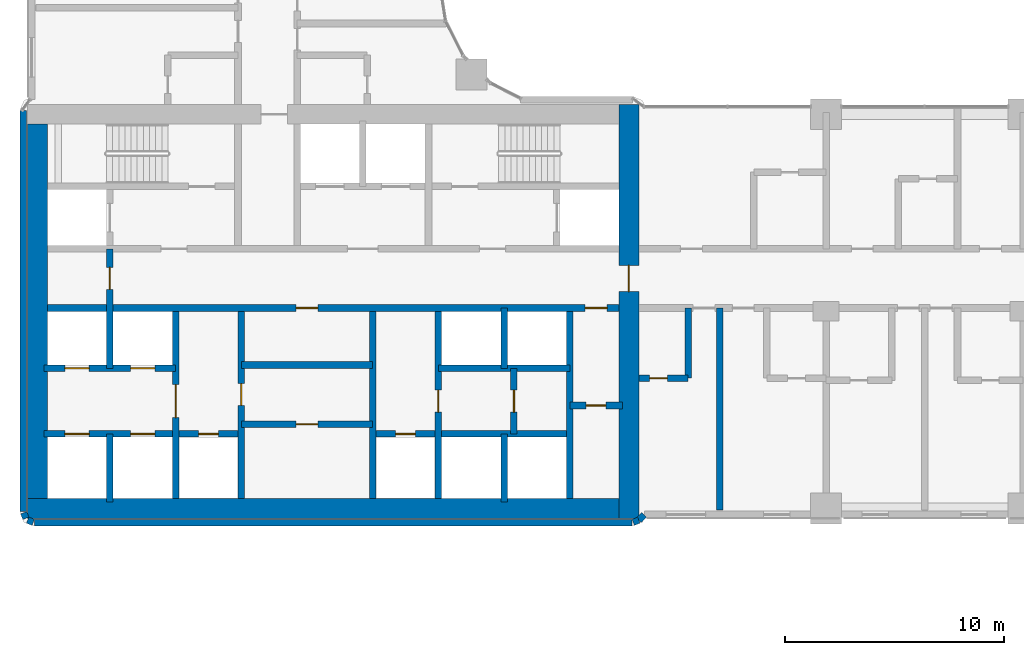
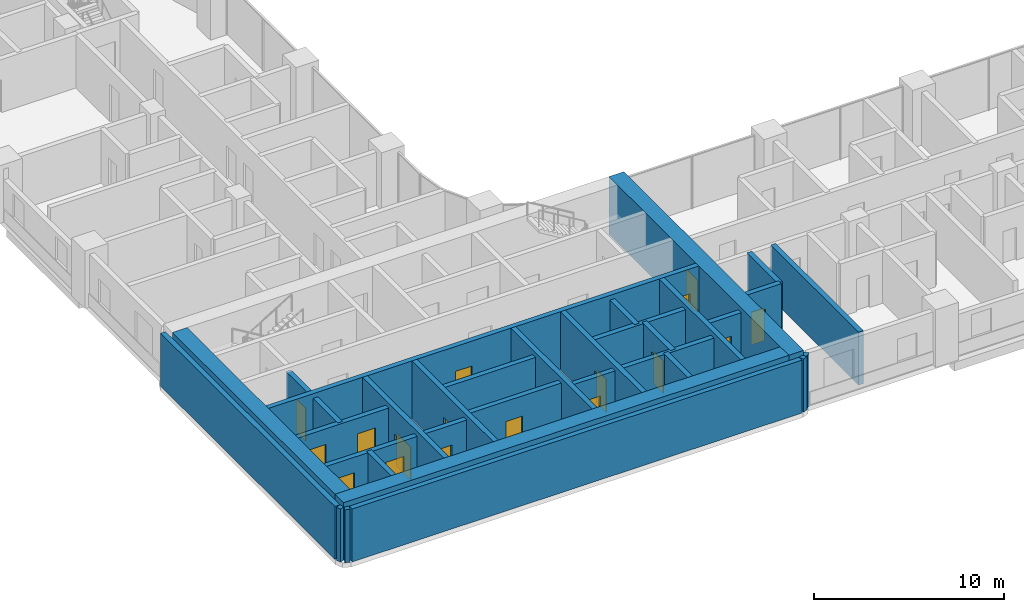
# One storey, part 16 of 31: 30 walls, 17 doors, 17 openings.
"""IFC4 building model written with IfcOpenShell, lengths in metres."""

from ifc_helpers import new_model, si_unit, direction, frame, frame_2d, origin, place, context, subcontext, project, spatial, rectangle, extrude, material, layer, layer_set, type_object, element, fill, save


model = new_model("IFC4")

# Units and contexts
model_context = context("Model", 3, precision=1e-05, world=origin(), true_north=direction((0.0, 1.0)))
body_context = subcontext(model_context, "Body", "Model", "MODEL_VIEW")
ifc_project = project(units=[si_unit("LENGTHUNIT", "METRE"), si_unit("AREAUNIT", "SQUARE_METRE"), si_unit("VOLUMEUNIT", "CUBIC_METRE"), si_unit("PLANEANGLEUNIT", "RADIAN"), si_unit("MASSUNIT", "GRAM", prefix="KILO")], contexts=[model_context])

# Site, building, storey
site_placement = place(None, origin())
site = spatial("IfcSite", under=ifc_project, at=site_placement, CompositionType="ELEMENT")
building_placement = place(site_placement, origin())
building = spatial("IfcBuilding", under=site, at=building_placement, Name="Ogive Portal Towers", CompositionType="ELEMENT")
storey_placement = place(building_placement, frame((0.0, 0.0, 40.89990234375)))
storey = spatial("IfcBuildingStorey", under=building, at=storey_placement, Name="L08", CompositionType="ELEMENT", Elevation=40.89990234375)

# Wall, opening, door
ifc_material_1 = material(Name="Concrete C60/75", Category="concrete")
ifc_layer_1 = layer(ifc_material_1, 0.300048828125)
ifc_layer_set_1 = layer_set([ifc_layer_1], Name="CORE WALL 300 C60")
wall_type_1 = type_object("IfcWallType", Name="CORE WALL 300 C60", PredefinedType="SHEAR", material=ifc_layer_set_1)
wall_1_placement = place(storey_placement, frame((37.800048828125, 21.949951171875, 0.0), z_axis=(0.0, 0.0, 1.0), x_axis=(0.0, 1.0, 0.0)))
wall_1 = element("IfcWall", 1, at=wall_1_placement, inside=storey, type_object=wall_type_1, Name="Core wall X1 L08", PredefinedType="SHEAR", context=body_context, shape_type="SweptSolid", body=[
    extrude(rectangle(XDim=8.550048828125, YDim=0.300048828125, at=frame_2d((4.27490234375, 0.0))), origin(), (0.0, 0.0, 1.0), 3.7001953125),
])
opening_1_placement = place(wall_1_placement, frame((3.699951171875, 0.0, 0.0)))
opening_1 = element("IfcOpeningElement", 2, at=opening_1_placement, cuts=wall_1, Name="Opening D01-001", PredefinedType="OPENING", context=body_context, shape_type="SweptSolid", body=[
    extrude(rectangle(XDim=1.5, YDim=2.10009765625, at=frame_2d((0.75, 1.050048828125))), frame((0.0, 0.16015625, 0.0), z_axis=(0.0, -1.0, 0.0), x_axis=(1.0, 0.0, 0.0)), (0.0, 0.0, 1.0), 0.320068359375),
])
ifc_material_2 = material(Name="Steel fire door", Category="steel")
door_type_1 = type_object("IfcDoorType", Name="DT-SWING-1500x2100-FD90S", OperationType="SINGLE_SWING_LEFT", PredefinedType="DOOR", material=ifc_material_2)
door_1_placement = place(opening_1_placement, origin())
door_1 = element("IfcDoor", 3, at=door_1_placement, inside=storey, type_object=door_type_1, Name="Door D01-001", OperationType="SINGLE_SWING_LEFT", OverallHeight=2.10009765625, OverallWidth=1.5, PredefinedType="DOOR", context=body_context, shape_type="SweptSolid", body=[
    extrude(rectangle(XDim=1.5, YDim=2.10009765625, at=frame_2d((0.75, 1.050048828125))), frame((0.0, 0.02490234375, 0.0), z_axis=(0.0, -1.0, 0.0), x_axis=(1.0, 0.0, 0.0)), (0.0, 0.0, 1.0), 0.050048828125),
])
fill(opening_1, door_1)

wall_2_placement = place(storey_placement, frame((40.800048828125, 21.949951171875, 0.0), z_axis=(0.0, 0.0, 1.0), x_axis=(0.0, 1.0, 0.0)))
wall_2 = element("IfcWall", 4, at=wall_2_placement, inside=storey, type_object=wall_type_1, Name="Core wall X2 L08", PredefinedType="SHEAR", context=body_context, shape_type="SweptSolid", body=[
    extrude(rectangle(XDim=8.550048828125, YDim=0.300048828125, at=frame_2d((4.27490234375, 0.0))), origin(), (0.0, 0.0, 1.0), 3.7001953125),
])
opening_2_placement = place(wall_2_placement, frame((4.25, 0.0, 0.0)))
opening_2 = element("IfcOpeningElement", 5, at=opening_2_placement, cuts=wall_2, Name="Opening D01-022", PredefinedType="OPENING", context=body_context, shape_type="SweptSolid", body=[
    extrude(rectangle(XDim=1.0, YDim=2.10009765625, at=frame_2d((0.5, 1.050048828125))), frame((0.0, 0.16015625, 0.0), z_axis=(0.0, -1.0, 0.0), x_axis=(1.0, 0.0, 0.0)), (0.0, 0.0, 1.0), 0.320068359375),
])
door_type_2 = type_object("IfcDoorType", Name="DT-SWING-1000x2100-FD90S", OperationType="SINGLE_SWING_LEFT", PredefinedType="DOOR", material=ifc_material_2)
door_2_placement = place(opening_2_placement, origin())
door_2 = element("IfcDoor", 6, at=door_2_placement, inside=storey, type_object=door_type_2, Name="Door D01-022", OperationType="SINGLE_SWING_RIGHT", OverallHeight=2.10009765625, OverallWidth=1.0, PredefinedType="DOOR", context=body_context, shape_type="SweptSolid", body=[
    extrude(rectangle(XDim=1.0, YDim=2.10009765625, at=frame_2d((0.5, 1.050048828125))), frame((0.0, 0.02490234375, 0.0), z_axis=(0.0, -1.0, 0.0), x_axis=(1.0, 0.0, 0.0)), (0.0, 0.0, 1.0), 0.050048828125),
])
fill(opening_2, door_2)

# Wall
wall_3_placement = place(storey_placement, frame((46.800048828125, 21.949951171875, 0.0), z_axis=(0.0, 0.0, 1.0), x_axis=(0.0, 1.0, 0.0)))
element("IfcWall", 7, at=wall_3_placement, inside=storey, type_object=wall_type_1, Name="Core wall X3 L08", PredefinedType="SHEAR", context=body_context, shape_type="SweptSolid", body=[
    extrude(rectangle(XDim=8.550048828125, YDim=0.300048828125, at=frame_2d((4.27490234375, 0.0))), origin(), (0.0, 0.0, 1.0), 3.7001953125),
])

# Wall, opening, door
wall_4_placement = place(storey_placement, frame((49.800048828125, 21.949951171875, 0.0), z_axis=(0.0, 0.0, 1.0), x_axis=(0.0, 1.0, 0.0)))
wall_4 = element("IfcWall", 8, at=wall_4_placement, inside=storey, type_object=wall_type_1, Name="Core wall X4 L08", PredefinedType="SHEAR", context=body_context, shape_type="SweptSolid", body=[
    extrude(rectangle(XDim=8.550048828125, YDim=0.300048828125, at=frame_2d((4.27490234375, 0.0))), origin(), (0.0, 0.0, 1.0), 3.7001953125),
])
opening_3_placement = place(wall_4_placement, frame((3.949951171875, 0.0, 0.0)))
opening_3 = element("IfcOpeningElement", 9, at=opening_3_placement, cuts=wall_4, Name="Opening D01-024", PredefinedType="OPENING", context=body_context, shape_type="SweptSolid", body=[
    extrude(rectangle(XDim=1.0, YDim=2.10009765625, at=frame_2d((0.5, 1.050048828125))), frame((0.0, 0.16015625, 0.0), z_axis=(0.0, -1.0, 0.0), x_axis=(1.0, 0.0, 0.0)), (0.0, 0.0, 1.0), 0.320068359375),
])
door_3_placement = place(opening_3_placement, origin())
door_3 = element("IfcDoor", 10, at=door_3_placement, inside=storey, type_object=door_type_2, Name="Door D01-024", OperationType="SINGLE_SWING_RIGHT", OverallHeight=2.10009765625, OverallWidth=1.0, PredefinedType="DOOR", context=body_context, shape_type="SweptSolid", body=[
    extrude(rectangle(XDim=1.0, YDim=2.10009765625, at=frame_2d((0.5, 1.050048828125))), frame((0.0, 0.02490234375, 0.0), z_axis=(0.0, -1.0, 0.0), x_axis=(1.0, 0.0, 0.0)), (0.0, 0.0, 1.0), 0.050048828125),
])
fill(opening_3, door_3)

# Wall
wall_5_placement = place(storey_placement, frame((55.800048828125, 21.949951171875, 0.0), z_axis=(0.0, 0.0, 1.0), x_axis=(0.0, 1.0, 0.0)))
element("IfcWall", 11, at=wall_5_placement, inside=storey, type_object=wall_type_1, Name="Core wall X5 L08", PredefinedType="SHEAR", context=body_context, shape_type="SweptSolid", body=[
    extrude(rectangle(XDim=8.550048828125, YDim=0.300048828125, at=frame_2d((4.27490234375, 0.0))), origin(), (0.0, 0.0, 1.0), 3.7001953125),
])

# Wall, openings, doors
wall_6_placement = place(storey_placement, frame((31.949951171875, 30.64990234375, 0.0), z_axis=(0.0, 0.0, 1.0), x_axis=(1.0, 0.0, 0.0)))
wall_6 = element("IfcWall", 12, at=wall_6_placement, inside=storey, type_object=wall_type_1, Name="Core wall Y1 L08", PredefinedType="SHEAR", context=body_context, shape_type="SweptSolid", body=[
    extrude(rectangle(XDim=26.10009765625, YDim=0.300048828125, at=frame_2d((13.050048828125, 0.0))), origin(), (0.0, 0.0, 1.0), 3.7001953125),
])
opening_4_placement = place(wall_6_placement, frame((24.550048828125, 0.0, 0.0)))
opening_4 = element("IfcOpeningElement", 13, at=opening_4_placement, cuts=wall_6, Name="Opening D01-009", PredefinedType="OPENING", context=body_context, shape_type="SweptSolid", body=[
    extrude(rectangle(XDim=1.0, YDim=2.10009765625, at=frame_2d((0.5, 1.050048828125))), frame((0.0, 0.16015625, 0.0), z_axis=(0.0, -1.0, 0.0), x_axis=(1.0, 0.0, 0.0)), (0.0, 0.0, 1.0), 0.320068359375),
])
opening_5_placement = place(wall_6_placement, frame((11.35009765625, 0.0, 0.0)))
opening_5 = element("IfcOpeningElement", 14, at=opening_5_placement, cuts=wall_6, Name="Opening D01-021", PredefinedType="OPENING", context=body_context, shape_type="SweptSolid", body=[
    extrude(rectangle(XDim=1.0, YDim=2.10009765625, at=frame_2d((0.5, 1.050048828125))), frame((0.0, 0.16015625, 0.0), z_axis=(0.0, -1.0, 0.0), x_axis=(1.0, 0.0, 0.0)), (0.0, 0.0, 1.0), 0.320068359375),
])
door_4_placement = place(opening_4_placement, origin())
door_4 = element("IfcDoor", 15, at=door_4_placement, inside=storey, type_object=door_type_2, Name="Door D01-009", OperationType="SINGLE_SWING_LEFT", OverallHeight=2.10009765625, OverallWidth=1.0, PredefinedType="DOOR", context=body_context, shape_type="SweptSolid", body=[
    extrude(rectangle(XDim=1.0, YDim=2.10009765625, at=frame_2d((0.5, 1.050048828125))), frame((0.0, 0.02490234375, 0.0), z_axis=(0.0, -1.0, 0.0), x_axis=(1.0, 0.0, 0.0)), (0.0, 0.0, 1.0), 0.050048828125),
])
fill(opening_4, door_4)
door_5_placement = place(opening_5_placement, origin())
door_5 = element("IfcDoor", 16, at=door_5_placement, inside=storey, type_object=door_type_2, Name="Door D01-021", OperationType="SINGLE_SWING_LEFT", OverallHeight=2.10009765625, OverallWidth=1.0, PredefinedType="DOOR", context=body_context, shape_type="SweptSolid", body=[
    extrude(rectangle(XDim=1.0, YDim=2.10009765625, at=frame_2d((0.5, 1.050048828125))), frame((0.0, 0.02490234375, 0.0), z_axis=(0.0, -1.0, 0.0), x_axis=(1.0, 0.0, 0.0)), (0.0, 0.0, 1.0), 0.050048828125),
])
fill(opening_5, door_5)

# Walls
ifc_layer_2 = layer(ifc_material_1, 0.89990234375)
ifc_layer_set_2 = layer_set([ifc_layer_2], Name="CORE WALL 900 C60")
wall_type_2 = type_object("IfcWallType", Name="CORE WALL 900 C60", PredefinedType="SHEAR", material=ifc_layer_set_2)
wall_7_placement = place(storey_placement, frame((31.5, 21.949951171875, 0.0), z_axis=(0.0, 0.0, 1.0), x_axis=(0.0, 1.0, 0.0)))
element("IfcWall", 17, at=wall_7_placement, inside=storey, type_object=wall_type_2, Name="Core wall W L08", PredefinedType="SHEAR", context=body_context, shape_type="SweptSolid", body=[
    extrude(rectangle(XDim=17.10009765625, YDim=0.89990234375, at=frame_2d((8.550048828125, 0.0))), origin(), (0.0, 0.0, 1.0), 3.7001953125),
])
wall_8_placement = place(storey_placement, frame((31.050048828125, 21.5, 0.0), z_axis=(0.0, 0.0, 1.0), x_axis=(1.0, 0.0, 0.0)))
element("IfcWall", 18, at=wall_8_placement, inside=storey, type_object=wall_type_2, Name="Core wall S L08", PredefinedType="SHEAR", context=body_context, shape_type="SweptSolid", body=[
    extrude(rectangle(XDim=27.0, YDim=0.89990234375, at=frame_2d((13.5, 0.0))), origin(), (0.0, 0.0, 1.0), 3.7001953125),
])

# Wall, opening, door
wall_9_placement = place(storey_placement, frame((58.5, 21.050048828125, 0.0), z_axis=(0.0, 0.0, 1.0), x_axis=(0.0, 1.0, 0.0)))
wall_9 = element("IfcWall", 19, at=wall_9_placement, inside=storey, type_object=wall_type_2, Name="Core wall E L08", PredefinedType="SHEAR", context=body_context, shape_type="SweptSolid", body=[
    extrude(rectangle(XDim=18.89990234375, YDim=0.89990234375, at=frame_2d((9.449951171875, 0.0))), origin(), (0.0, 0.0, 1.0), 3.7001953125),
])
opening_6_placement = place(wall_9_placement, frame((10.35009765625, 0.0, 0.0)))
opening_6 = element("IfcOpeningElement", 20, at=opening_6_placement, cuts=wall_9, Name="Opening D01-011", PredefinedType="OPENING", context=body_context, shape_type="SweptSolid", body=[
    extrude(rectangle(XDim=1.199951171875, YDim=2.10009765625, at=frame_2d((0.60009765625, 1.050048828125))), frame((0.0, 0.4599609375, 0.0), z_axis=(0.0, -1.0, 0.0), x_axis=(1.0, 0.0, 0.0)), (0.0, 0.0, 1.0), 0.919921875),
])
door_type_3 = type_object("IfcDoorType", Name="DT-SWING-1200x2100-FD90S", OperationType="SINGLE_SWING_LEFT", PredefinedType="DOOR", material=ifc_material_2)
door_6_placement = place(opening_6_placement, origin())
door_6 = element("IfcDoor", 21, at=door_6_placement, inside=storey, type_object=door_type_3, Name="Door D01-011", OperationType="SINGLE_SWING_LEFT", OverallHeight=2.10009765625, OverallWidth=1.199951171875, PredefinedType="DOOR", context=body_context, shape_type="SweptSolid", body=[
    extrude(rectangle(XDim=1.199951171875, YDim=2.10009765625, at=frame_2d((0.60009765625, 1.050048828125))), frame((0.0, 0.02490234375, 0.0), z_axis=(0.0, -1.0, 0.0), x_axis=(1.0, 0.0, 0.0)), (0.0, 0.0, 1.0), 0.050048828125),
])
fill(opening_6, door_6)

# Walls
ifc_material_3 = material(Name="Limestone cladding on lightweight block wall", Category="masonry")
ifc_layer_3 = layer(ifc_material_3, 0.300048828125)
ifc_layer_set_3 = layer_set([ifc_layer_3], Name="EXTERNAL WALL 300 STONE")
wall_type_3 = type_object("IfcWallType", Name="EXTERNAL WALL 300 STONE", PredefinedType="SOLIDWALL", material=ifc_layer_set_3)
wall_10_placement = place(storey_placement, frame((30.85009765625, 39.673583984375, 0.0), z_axis=(0.0, 0.0, 1.0), x_axis=(0.0, -1.0, 0.0)))
element("IfcWall", 22, at=wall_10_placement, inside=storey, type_object=wall_type_3, Name="A:L08:f15:r0:wall", PredefinedType="SOLIDWALL", context=body_context, shape_type="SweptSolid", body=[
    extrude(rectangle(XDim=18.31396484375, YDim=0.300048828125, at=frame_2d((9.156982421875, 0.0))), origin(), (0.0, 0.0, 1.0), 3.400146484375),
])
for number, where, z_axis, x_axis, name in (
    (23, (30.861328125, 21.30224609375, 0.0), (0.0, 0.0, 1.0), (0.38297812142, -0.923757413239, 0.0), "A:L08:f16:r0:wall"),
    (24, (31.0478515625, 20.966796875, 0.0), (0.0, 0.0, 1.0), (0.923757413239, -0.38297812142, 0.0), "A:L08:f17:r0:wall"),
):
    element("IfcWall", number, at=place(storey_placement, frame(where, z_axis=z_axis, x_axis=x_axis)), inside=storey, type_object=wall_type_3, Name=name, PredefinedType="SOLIDWALL", context=body_context, shape_type="SweptSolid", body=[
        extrude(rectangle(XDim=0.275390625, YDim=0.300048828125, at=frame_2d((0.1376953125, 0.0))), origin(), (0.0, 0.0, 1.0), 3.400146484375),
    ])
wall_11_placement = place(storey_placement, frame((31.359619140625, 20.85009765625, 0.0), z_axis=(0.0, 0.0, 1.0), x_axis=(1.0, 0.0, 0.0)))
element("IfcWall", 25, at=wall_11_placement, inside=storey, type_object=wall_type_3, Name="A:L08:f18:r0:wall", PredefinedType="SOLIDWALL", context=body_context, shape_type="SweptSolid", body=[
    extrude(rectangle(XDim=27.28076171875, YDim=0.300048828125, at=frame_2d((13.640380859375, 0.0))), origin(), (0.0, 0.0, 1.0), 3.400146484375),
])
wall_12_placement = place(storey_placement, frame((58.69775390625, 20.861328125, 0.0), z_axis=(0.0, 0.0, 1.0), x_axis=(0.923757413239, 0.38297812142, 0.0)))
element("IfcWall", 26, at=wall_12_placement, inside=storey, type_object=wall_type_3, Name="A:L08:f19:r0:wall", PredefinedType="SOLIDWALL", context=body_context, shape_type="SweptSolid", body=[
    extrude(rectangle(XDim=0.275390625, YDim=0.300048828125, at=frame_2d((0.1376953125, 0.0))), origin(), (0.0, 0.0, 1.0), 3.400146484375),
])
wall_13_placement = place(storey_placement, frame((58.9521484375, 20.966796875, 0.0), z_axis=(0.0, 0.0, 1.0), x_axis=(0.702144810536, 0.712034174065, 0.0)))
element("IfcWall", 27, at=wall_13_placement, inside=storey, type_object=wall_type_3, Name="A:L08:f20:r0:wall", PredefinedType="SOLIDWALL", context=body_context, shape_type="SweptSolid", body=[
    extrude(rectangle(XDim=0.345703125, YDim=0.300048828125, at=frame_2d((0.1728515625, 0.0))), origin(), (0.0, 0.0, 1.0), 3.400146484375),
])

# Wall, opening, door
ifc_material_4 = material(Name="Gypsum board partition on steel studs", Category="steel")
ifc_layer_4 = layer(ifc_material_4, 0.300048828125)
ifc_layer_set_4 = layer_set([ifc_layer_4], Name="WT-PART-300")
wall_type_4 = type_object("IfcWallType", Name="WT-PART-300", PredefinedType="PARTITIONING", material=ifc_layer_set_4)
wall_14_placement = place(storey_placement, frame((40.800048828125, 25.35009765625, 0.0), z_axis=(0.0, 0.0, 1.0), x_axis=(1.0, 0.0, 0.0)))
wall_14 = element("IfcWall", 28, at=wall_14_placement, inside=storey, type_object=wall_type_4, Name="Wall pw:003:L08", PredefinedType="PARTITIONING", context=body_context, shape_type="SweptSolid", body=[
    extrude(rectangle(XDim=6.0, YDim=0.300048828125, at=frame_2d((3.0, 0.0))), origin(), (0.0, 0.0, 1.0), 3.400146484375),
])
opening_7_placement = place(wall_14_placement, frame((2.5, 0.0, 0.0)))
opening_7 = element("IfcOpeningElement", 29, at=opening_7_placement, cuts=wall_14, Name="Opening D01-023", PredefinedType="OPENING", context=body_context, shape_type="SweptSolid", body=[
    extrude(rectangle(XDim=1.0, YDim=2.10009765625, at=frame_2d((0.5, 1.050048828125))), frame((0.0, 0.16015625, 0.0), z_axis=(0.0, -1.0, 0.0), x_axis=(1.0, 0.0, 0.0)), (0.0, 0.0, 1.0), 0.320068359375),
])
door_type_4 = type_object("IfcDoorType", Name="DT-SWING-1000x2100-FD60S", OperationType="SINGLE_SWING_LEFT", PredefinedType="DOOR", material=ifc_material_2)
door_7_placement = place(opening_7_placement, origin())
door_7 = element("IfcDoor", 30, at=door_7_placement, inside=storey, type_object=door_type_4, Name="Door D01-023", OperationType="SINGLE_SWING_RIGHT", OverallHeight=2.10009765625, OverallWidth=1.0, PredefinedType="DOOR", context=body_context, shape_type="SweptSolid", body=[
    extrude(rectangle(XDim=1.0, YDim=2.10009765625, at=frame_2d((0.5, 1.050048828125))), frame((0.0, 0.02490234375, 0.0), z_axis=(0.0, -1.0, 0.0), x_axis=(1.0, 0.0, 0.0)), (0.0, 0.0, 1.0), 0.050048828125),
])
fill(opening_7, door_7)

wall_15_placement = place(storey_placement, frame((55.800048828125, 26.199951171875, 0.0), z_axis=(0.0, 0.0, 1.0), x_axis=(1.0, 0.0, 0.0)))
wall_15 = element("IfcWall", 31, at=wall_15_placement, inside=storey, type_object=wall_type_4, Name="Wall pw:004:L08", PredefinedType="PARTITIONING", context=body_context, shape_type="SweptSolid", body=[
    extrude(rectangle(XDim=2.39990234375, YDim=0.300048828125, at=frame_2d((1.199951171875, 0.0))), origin(), (0.0, 0.0, 1.0), 3.400146484375),
])
opening_8_placement = place(wall_15_placement, frame((0.75, 0.0, 0.0)))
opening_8 = element("IfcOpeningElement", 32, at=opening_8_placement, cuts=wall_15, Name="Opening D01-010", PredefinedType="OPENING", context=body_context, shape_type="SweptSolid", body=[
    extrude(rectangle(XDim=0.89990234375, YDim=2.10009765625, at=frame_2d((0.449951171875, 1.050048828125))), frame((0.0, 0.16015625, 0.0), z_axis=(0.0, -1.0, 0.0), x_axis=(1.0, 0.0, 0.0)), (0.0, 0.0, 1.0), 0.320068359375),
])
door_type_5 = type_object("IfcDoorType", Name="DT-SWING-900x2100-FD60S", OperationType="SINGLE_SWING_LEFT", PredefinedType="DOOR", material=ifc_material_2)
door_8_placement = place(opening_8_placement, origin())
door_8 = element("IfcDoor", 33, at=door_8_placement, inside=storey, type_object=door_type_5, Name="Door D01-010", OperationType="SINGLE_SWING_RIGHT", OverallHeight=2.10009765625, OverallWidth=0.89990234375, PredefinedType="DOOR", context=body_context, shape_type="SweptSolid", body=[
    extrude(rectangle(XDim=0.89990234375, YDim=2.10009765625, at=frame_2d((0.449951171875, 1.050048828125))), frame((0.0, 0.02490234375, 0.0), z_axis=(0.0, -1.0, 0.0), x_axis=(1.0, 0.0, 0.0)), (0.0, 0.0, 1.0), 0.050048828125),
])
fill(opening_8, door_8)

# Wall
wall_16_placement = place(storey_placement, frame((40.800048828125, 28.050048828125, 0.0), z_axis=(0.0, 0.0, 1.0), x_axis=(1.0, 0.0, 0.0)))
element("IfcWall", 34, at=wall_16_placement, inside=storey, type_object=wall_type_4, Name="Wall pw:007:L08", PredefinedType="PARTITIONING", context=body_context, shape_type="SweptSolid", body=[
    extrude(rectangle(XDim=6.0, YDim=0.300048828125, at=frame_2d((3.0, 0.0))), origin(), (0.0, 0.0, 1.0), 3.400146484375),
])

# Wall, opening, door
ifc_layer_5 = layer(ifc_material_4, 0.300048828125)
ifc_layer_set_5 = layer_set([ifc_layer_5], Name="WT-PART-300-EI 60")
wall_type_5 = type_object("IfcWallType", Name="WT-PART-300-EI 60", PredefinedType="PARTITIONING", material=ifc_layer_set_5)
wall_17_placement = place(storey_placement, frame((58.949951171875, 27.449951171875, 0.0), z_axis=(0.0, 0.0, 1.0), x_axis=(1.0, 0.0, 0.0)))
wall_17 = element("IfcWall", 35, at=wall_17_placement, inside=storey, type_object=wall_type_5, Name="Wall L08:w004", PredefinedType="PARTITIONING", context=body_context, shape_type="SweptSolid", body=[
    extrude(rectangle(XDim=2.25, YDim=0.300048828125, at=frame_2d((1.125, 0.0))), origin(), (0.0, 0.0, 1.0), 3.400146484375),
])
opening_9_placement = place(wall_17_placement, frame((0.5, 0.0, 0.0)))
opening_9 = element("IfcOpeningElement", 36, at=opening_9_placement, cuts=wall_17, Name="Opening D01-029", PredefinedType="OPENING", context=body_context, shape_type="SweptSolid", body=[
    extrude(rectangle(XDim=0.800048828125, YDim=2.10009765625, at=frame_2d((0.39990234375, 1.050048828125))), frame((0.0, 0.16015625, 0.0), z_axis=(0.0, -1.0, 0.0), x_axis=(1.0, 0.0, 0.0)), (0.0, 0.0, 1.0), 0.320068359375),
])
door_type_6 = type_object("IfcDoorType", Name="DT-BATH-800x2100-FD60S", OperationType="SINGLE_SWING_LEFT", PredefinedType="DOOR", material=ifc_material_2)
door_9_placement = place(opening_9_placement, origin())
door_9 = element("IfcDoor", 37, at=door_9_placement, inside=storey, type_object=door_type_6, Name="Door D01-029", OperationType="SINGLE_SWING_LEFT", OverallHeight=2.10009765625, OverallWidth=0.800048828125, PredefinedType="DOOR", context=body_context, shape_type="SweptSolid", body=[
    extrude(rectangle(XDim=0.800048828125, YDim=2.10009765625, at=frame_2d((0.39990234375, 1.050048828125))), frame((0.0, 0.02490234375, 0.0), z_axis=(0.0, -1.0, 0.0), x_axis=(1.0, 0.0, 0.0)), (0.0, 0.0, 1.0), 0.050048828125),
])
fill(opening_9, door_9)

# Walls
wall_18_placement = place(storey_placement, frame((61.199951171875, 27.449951171875, 0.0), z_axis=(0.0, 0.0, 1.0), x_axis=(0.0, 1.0, 0.0)))
element("IfcWall", 38, at=wall_18_placement, inside=storey, type_object=wall_type_5, Name="Wall L08:w048", PredefinedType="PARTITIONING", context=body_context, shape_type="SweptSolid", body=[
    extrude(rectangle(XDim=3.199951171875, YDim=0.300048828125, at=frame_2d((1.60009765625, 0.0))), origin(), (0.0, 0.0, 1.0), 3.400146484375),
])
wall_19_placement = place(storey_placement, frame((62.639892578125, 21.425048828125, 0.0), z_axis=(0.0, 0.0, 1.0), x_axis=(0.0, 1.0, 0.0)))
element("IfcWall", 39, at=wall_19_placement, inside=storey, type_object=wall_type_5, Name="Wall L08:w049", PredefinedType="PARTITIONING", context=body_context, shape_type="SweptSolid", body=[
    extrude(rectangle(XDim=9.224853515625, YDim=0.300048828125, at=frame_2d((4.6123046875, 0.0))), origin(), (0.0, 0.0, 1.0), 3.400146484375),
])

# Wall, openings, doors
ifc_material_5 = material(Name="Concrete C40/50", Category="concrete")
ifc_layer_6 = layer(ifc_material_5, 0.300048828125)
ifc_layer_set_6 = layer_set([ifc_layer_6], Name="WT-SHAFT-300")
wall_type_6 = type_object("IfcWallType", Name="WT-SHAFT-300", PredefinedType="SOLIDWALL", material=ifc_layer_set_6)
wall_20_placement = place(storey_placement, frame((31.800048828125, 24.89990234375, 0.0), z_axis=(0.0, 0.0, 1.0), x_axis=(1.0, 0.0, 0.0)))
wall_20 = element("IfcWall", 40, at=wall_20_placement, inside=storey, type_object=wall_type_6, Name="Wall pw:001:L08", PredefinedType="SOLIDWALL", context=body_context, shape_type="SweptSolid", body=[
    extrude(rectangle(XDim=9.0, YDim=0.300048828125, at=frame_2d((4.5, 0.0))), origin(), (0.0, 0.0, 1.0), 3.400146484375),
])
opening_10_placement = place(wall_20_placement, frame((7.050048828125, 0.0, 0.0)))
opening_10 = element("IfcOpeningElement", 41, at=opening_10_placement, cuts=wall_20, Name="Opening D01-007", PredefinedType="OPENING", context=body_context, shape_type="SweptSolid", body=[
    extrude(rectangle(XDim=0.89990234375, YDim=2.10009765625, at=frame_2d((0.449951171875, 1.050048828125))), frame((0.0, 0.16015625, 0.0), z_axis=(0.0, -1.0, 0.0), x_axis=(1.0, 0.0, 0.0)), (0.0, 0.0, 1.0), 0.320068359375),
])
opening_11_placement = place(wall_20_placement, frame((0.949951171875, 0.0, 0.0)))
opening_11 = element("IfcOpeningElement", 42, at=opening_11_placement, cuts=wall_20, Name="Opening D01-013", PredefinedType="OPENING", context=body_context, shape_type="SweptSolid", body=[
    extrude(rectangle(XDim=1.10009765625, YDim=2.39990234375, at=frame_2d((0.550048828125, 1.199951171875))), frame((0.0, 0.16015625, 0.0), z_axis=(0.0, -1.0, 0.0), x_axis=(1.0, 0.0, 0.0)), (0.0, 0.0, 1.0), 0.320068359375),
])
opening_12_placement = place(wall_20_placement, frame((3.949951171875, 0.0, 0.0)))
opening_12 = element("IfcOpeningElement", 43, at=opening_12_placement, cuts=wall_20, Name="Opening D01-014", PredefinedType="OPENING", context=body_context, shape_type="SweptSolid", body=[
    extrude(rectangle(XDim=1.10009765625, YDim=2.39990234375, at=frame_2d((0.550048828125, 1.199951171875))), frame((0.0, 0.16015625, 0.0), z_axis=(0.0, -1.0, 0.0), x_axis=(1.0, 0.0, 0.0)), (0.0, 0.0, 1.0), 0.320068359375),
])
ifc_material_6 = material(Name="Stainless steel", Category="steel")
door_type_7 = type_object("IfcDoorType", Name="DT-LD-1100x2400", OperationType="SLIDING_TO_LEFT", PredefinedType="DOOR", material=ifc_material_6)
door_10_placement = place(opening_11_placement, origin())
door_10 = element("IfcDoor", 44, at=door_10_placement, inside=storey, type_object=door_type_7, Name="Door D01-013", OperationType="SLIDING_TO_LEFT", OverallHeight=2.39990234375, OverallWidth=1.10009765625, PredefinedType="DOOR", context=body_context, shape_type="SweptSolid", body=[
    extrude(rectangle(XDim=1.10009765625, YDim=2.39990234375, at=frame_2d((0.550048828125, 1.199951171875))), frame((0.0, 0.02490234375, 0.0), z_axis=(0.0, -1.0, 0.0), x_axis=(1.0, 0.0, 0.0)), (0.0, 0.0, 1.0), 0.050048828125),
])
fill(opening_11, door_10)
door_11_placement = place(opening_12_placement, origin())
door_11 = element("IfcDoor", 45, at=door_11_placement, inside=storey, type_object=door_type_7, Name="Door D01-014", OperationType="SLIDING_TO_LEFT", OverallHeight=2.39990234375, OverallWidth=1.10009765625, PredefinedType="DOOR", context=body_context, shape_type="SweptSolid", body=[
    extrude(rectangle(XDim=1.10009765625, YDim=2.39990234375, at=frame_2d((0.550048828125, 1.199951171875))), frame((0.0, 0.02490234375, 0.0), z_axis=(0.0, -1.0, 0.0), x_axis=(1.0, 0.0, 0.0)), (0.0, 0.0, 1.0), 0.050048828125),
])
fill(opening_12, door_11)
door_type_8 = type_object("IfcDoorType", Name="DT-SWING-900x2100-FD90S", OperationType="SINGLE_SWING_LEFT", PredefinedType="DOOR", material=ifc_material_2)
door_12_placement = place(opening_10_placement, origin())
door_12 = element("IfcDoor", 46, at=door_12_placement, inside=storey, type_object=door_type_8, Name="Riser access door D01-007", OperationType="SINGLE_SWING_LEFT", OverallHeight=2.10009765625, OverallWidth=0.89990234375, PredefinedType="DOOR", context=body_context, shape_type="SweptSolid", body=[
    extrude(rectangle(XDim=0.89990234375, YDim=2.10009765625, at=frame_2d((0.449951171875, 1.050048828125))), frame((0.0, 0.02490234375, 0.0), z_axis=(0.0, -1.0, 0.0), x_axis=(1.0, 0.0, 0.0)), (0.0, 0.0, 1.0), 0.050048828125),
])
fill(opening_10, door_12)

# Wall, opening, door
wall_21_placement = place(storey_placement, frame((46.800048828125, 24.89990234375, 0.0), z_axis=(0.0, 0.0, 1.0), x_axis=(1.0, 0.0, 0.0)))
wall_21 = element("IfcWall", 47, at=wall_21_placement, inside=storey, type_object=wall_type_6, Name="Wall pw:002:L08", PredefinedType="SOLIDWALL", context=body_context, shape_type="SweptSolid", body=[
    extrude(rectangle(XDim=9.0, YDim=0.300048828125, at=frame_2d((4.5, 0.0))), origin(), (0.0, 0.0, 1.0), 3.400146484375),
])
opening_13_placement = place(wall_21_placement, frame((1.050048828125, 0.0, 0.0)))
opening_13 = element("IfcOpeningElement", 48, at=opening_13_placement, cuts=wall_21, Name="Opening D01-008", PredefinedType="OPENING", context=body_context, shape_type="SweptSolid", body=[
    extrude(rectangle(XDim=0.89990234375, YDim=2.10009765625, at=frame_2d((0.449951171875, 1.050048828125))), frame((0.0, 0.16015625, 0.0), z_axis=(0.0, -1.0, 0.0), x_axis=(1.0, 0.0, 0.0)), (0.0, 0.0, 1.0), 0.320068359375),
])
door_13_placement = place(opening_13_placement, origin())
door_13 = element("IfcDoor", 49, at=door_13_placement, inside=storey, type_object=door_type_8, Name="Riser access door D01-008", OperationType="SINGLE_SWING_RIGHT", OverallHeight=2.10009765625, OverallWidth=0.89990234375, PredefinedType="DOOR", context=body_context, shape_type="SweptSolid", body=[
    extrude(rectangle(XDim=0.89990234375, YDim=2.10009765625, at=frame_2d((0.449951171875, 1.050048828125))), frame((0.0, 0.02490234375, 0.0), z_axis=(0.0, -1.0, 0.0), x_axis=(1.0, 0.0, 0.0)), (0.0, 0.0, 1.0), 0.050048828125),
])
fill(opening_13, door_13)

# Wall, openings, doors
wall_22_placement = place(storey_placement, frame((31.800048828125, 27.89990234375, 0.0), z_axis=(0.0, 0.0, 1.0), x_axis=(1.0, 0.0, 0.0)))
wall_22 = element("IfcWall", 50, at=wall_22_placement, inside=storey, type_object=wall_type_6, Name="Wall pw:005:L08", PredefinedType="SOLIDWALL", context=body_context, shape_type="SweptSolid", body=[
    extrude(rectangle(XDim=6.0, YDim=0.300048828125, at=frame_2d((3.0, 0.0))), origin(), (0.0, 0.0, 1.0), 3.400146484375),
])
opening_14_placement = place(wall_22_placement, frame((0.949951171875, 0.0, 0.0)))
opening_14 = element("IfcOpeningElement", 51, at=opening_14_placement, cuts=wall_22, Name="Opening D01-015", PredefinedType="OPENING", context=body_context, shape_type="SweptSolid", body=[
    extrude(rectangle(XDim=1.10009765625, YDim=2.39990234375, at=frame_2d((0.550048828125, 1.199951171875))), frame((0.0, 0.16015625, 0.0), z_axis=(0.0, -1.0, 0.0), x_axis=(1.0, 0.0, 0.0)), (0.0, 0.0, 1.0), 0.320068359375),
])
opening_15_placement = place(wall_22_placement, frame((3.949951171875, 0.0, 0.0)))
opening_15 = element("IfcOpeningElement", 52, at=opening_15_placement, cuts=wall_22, Name="Opening D01-016", PredefinedType="OPENING", context=body_context, shape_type="SweptSolid", body=[
    extrude(rectangle(XDim=1.10009765625, YDim=2.39990234375, at=frame_2d((0.550048828125, 1.199951171875))), frame((0.0, 0.16015625, 0.0), z_axis=(0.0, -1.0, 0.0), x_axis=(1.0, 0.0, 0.0)), (0.0, 0.0, 1.0), 0.320068359375),
])
door_14_placement = place(opening_14_placement, origin())
door_14 = element("IfcDoor", 53, at=door_14_placement, inside=storey, type_object=door_type_7, Name="Door D01-015", OperationType="SLIDING_TO_LEFT", OverallHeight=2.39990234375, OverallWidth=1.10009765625, PredefinedType="DOOR", context=body_context, shape_type="SweptSolid", body=[
    extrude(rectangle(XDim=1.10009765625, YDim=2.39990234375, at=frame_2d((0.550048828125, 1.199951171875))), frame((0.0, 0.02490234375, 0.0), z_axis=(0.0, -1.0, 0.0), x_axis=(1.0, 0.0, 0.0)), (0.0, 0.0, 1.0), 0.050048828125),
])
fill(opening_14, door_14)
door_15_placement = place(opening_15_placement, origin())
door_15 = element("IfcDoor", 54, at=door_15_placement, inside=storey, type_object=door_type_7, Name="Door D01-016", OperationType="SLIDING_TO_LEFT", OverallHeight=2.39990234375, OverallWidth=1.10009765625, PredefinedType="DOOR", context=body_context, shape_type="SweptSolid", body=[
    extrude(rectangle(XDim=1.10009765625, YDim=2.39990234375, at=frame_2d((0.550048828125, 1.199951171875))), frame((0.0, 0.02490234375, 0.0), z_axis=(0.0, -1.0, 0.0), x_axis=(1.0, 0.0, 0.0)), (0.0, 0.0, 1.0), 0.050048828125),
])
fill(opening_15, door_15)

# Walls
wall_23_placement = place(storey_placement, frame((49.800048828125, 27.89990234375, 0.0), z_axis=(0.0, 0.0, 1.0), x_axis=(1.0, 0.0, 0.0)))
element("IfcWall", 55, at=wall_23_placement, inside=storey, type_object=wall_type_6, Name="Wall pw:006:L08", PredefinedType="SOLIDWALL", context=body_context, shape_type="SweptSolid", body=[
    extrude(rectangle(XDim=6.0, YDim=0.300048828125, at=frame_2d((3.0, 0.0))), origin(), (0.0, 0.0, 1.0), 3.400146484375),
])
wall_24_placement = place(storey_placement, frame((34.800048828125, 21.800048828125, 0.0), z_axis=(0.0, 0.0, 1.0), x_axis=(0.0, 1.0, 0.0)))
element("IfcWall", 56, at=wall_24_placement, inside=storey, type_object=wall_type_6, Name="Wall pw:008:L08", PredefinedType="SOLIDWALL", context=body_context, shape_type="SweptSolid", body=[
    extrude(rectangle(XDim=3.099853515625, YDim=0.300048828125, at=frame_2d((1.5498046875, 0.0))), origin(), (0.0, 0.0, 1.0), 3.400146484375),
])

# Wall, opening, door
wall_25_placement = place(storey_placement, frame((34.800048828125, 27.89990234375, 0.0), z_axis=(0.0, 0.0, 1.0), x_axis=(0.0, 1.0, 0.0)))
wall_25 = element("IfcWall", 57, at=wall_25_placement, inside=storey, type_object=wall_type_6, Name="Wall pw:009:L08", PredefinedType="SOLIDWALL", context=body_context, shape_type="SweptSolid", body=[
    extrude(rectangle(XDim=5.4501953125, YDim=0.300048828125, at=frame_2d((2.72509765625, 0.0))), origin(), (0.0, 0.0, 1.0), 3.400146484375),
])
opening_16_placement = place(wall_25_placement, frame((3.60009765625, 0.0, 0.0)))
opening_16 = element("IfcOpeningElement", 58, at=opening_16_placement, cuts=wall_25, Name="Opening D01-026", PredefinedType="OPENING", context=body_context, shape_type="SweptSolid", body=[
    extrude(rectangle(XDim=1.0, YDim=2.10009765625, at=frame_2d((0.5, 1.050048828125))), frame((0.0, 0.16015625, 0.0), z_axis=(0.0, -1.0, 0.0), x_axis=(1.0, 0.0, 0.0)), (0.0, 0.0, 1.0), 0.320068359375),
])
door_16_placement = place(opening_16_placement, origin())
door_16 = element("IfcDoor", 59, at=door_16_placement, inside=storey, type_object=door_type_2, Name="Door D01-026", OperationType="SINGLE_SWING_RIGHT", OverallHeight=2.10009765625, OverallWidth=1.0, PredefinedType="DOOR", context=body_context, shape_type="SweptSolid", body=[
    extrude(rectangle(XDim=1.0, YDim=2.10009765625, at=frame_2d((0.5, 1.050048828125))), frame((0.0, 0.02490234375, 0.0), z_axis=(0.0, -1.0, 0.0), x_axis=(1.0, 0.0, 0.0)), (0.0, 0.0, 1.0), 0.050048828125),
])
fill(opening_16, door_16)

# Walls
wall_26_placement = place(storey_placement, frame((52.800048828125, 21.800048828125, 0.0), z_axis=(0.0, 0.0, 1.0), x_axis=(0.0, 1.0, 0.0)))
element("IfcWall", 60, at=wall_26_placement, inside=storey, type_object=wall_type_6, Name="Wall pw:011:L08", PredefinedType="SOLIDWALL", context=body_context, shape_type="SweptSolid", body=[
    extrude(rectangle(XDim=3.099853515625, YDim=0.300048828125, at=frame_2d((1.5498046875, 0.0))), origin(), (0.0, 0.0, 1.0), 3.400146484375),
])
wall_27_placement = place(storey_placement, frame((52.800048828125, 27.89990234375, 0.0), z_axis=(0.0, 0.0, 1.0), x_axis=(0.0, 1.0, 0.0)))
element("IfcWall", 61, at=wall_27_placement, inside=storey, type_object=wall_type_6, Name="Wall pw:012:L08", PredefinedType="SOLIDWALL", context=body_context, shape_type="SweptSolid", body=[
    extrude(rectangle(XDim=2.75, YDim=0.300048828125, at=frame_2d((1.375, 0.0))), origin(), (0.0, 0.0, 1.0), 3.400146484375),
])

# Wall, opening, door
wall_28_placement = place(storey_placement, frame((53.25, 24.89990234375, 0.0), z_axis=(0.0, 0.0, 1.0), x_axis=(0.0, 1.0, 0.0)))
wall_28 = element("IfcWall", 62, at=wall_28_placement, inside=storey, type_object=wall_type_6, Name="Wall pw:013:L08", PredefinedType="SOLIDWALL", context=body_context, shape_type="SweptSolid", body=[
    extrude(rectangle(XDim=3.0, YDim=0.300048828125, at=frame_2d((1.5, 0.0))), origin(), (0.0, 0.0, 1.0), 3.400146484375),
])
opening_17_placement = place(wall_28_placement, frame((1.0, 0.0, 0.0)))
opening_17 = element("IfcOpeningElement", 63, at=opening_17_placement, cuts=wall_28, Name="Opening D01-025", PredefinedType="OPENING", context=body_context, shape_type="SweptSolid", body=[
    extrude(rectangle(XDim=1.0, YDim=2.10009765625, at=frame_2d((0.5, 1.050048828125))), frame((0.0, 0.16015625, 0.0), z_axis=(0.0, -1.0, 0.0), x_axis=(1.0, 0.0, 0.0)), (0.0, 0.0, 1.0), 0.320068359375),
])
door_17_placement = place(opening_17_placement, origin())
door_17 = element("IfcDoor", 64, at=door_17_placement, inside=storey, type_object=door_type_2, Name="Door D01-025", OperationType="SINGLE_SWING_RIGHT", OverallHeight=2.10009765625, OverallWidth=1.0, PredefinedType="DOOR", context=body_context, shape_type="SweptSolid", body=[
    extrude(rectangle(XDim=1.0, YDim=2.10009765625, at=frame_2d((0.5, 1.050048828125))), frame((0.0, 0.02490234375, 0.0), z_axis=(0.0, -1.0, 0.0), x_axis=(1.0, 0.0, 0.0)), (0.0, 0.0, 1.0), 0.050048828125),
])
fill(opening_17, door_17)

save(model, "model.ifc")
